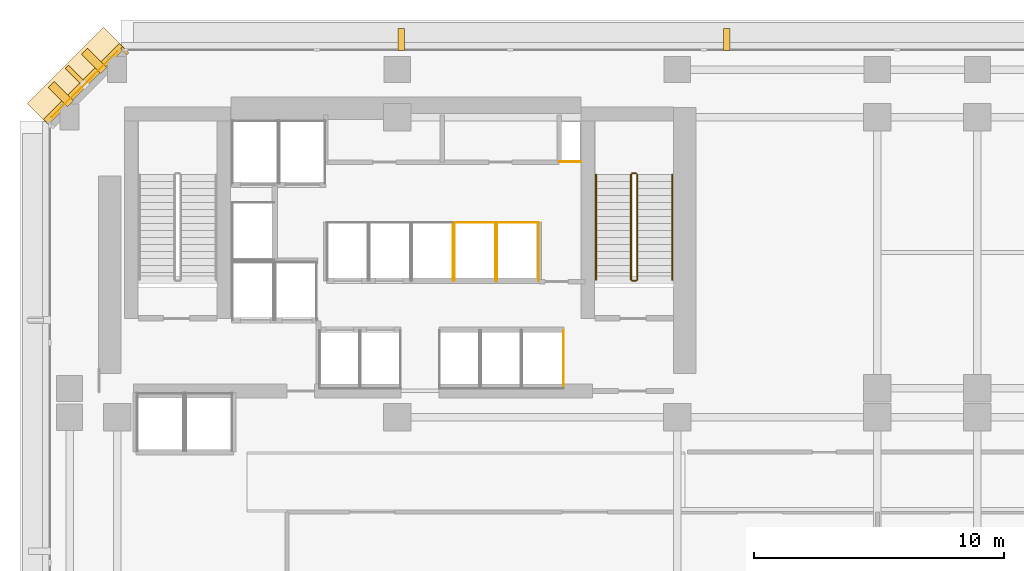
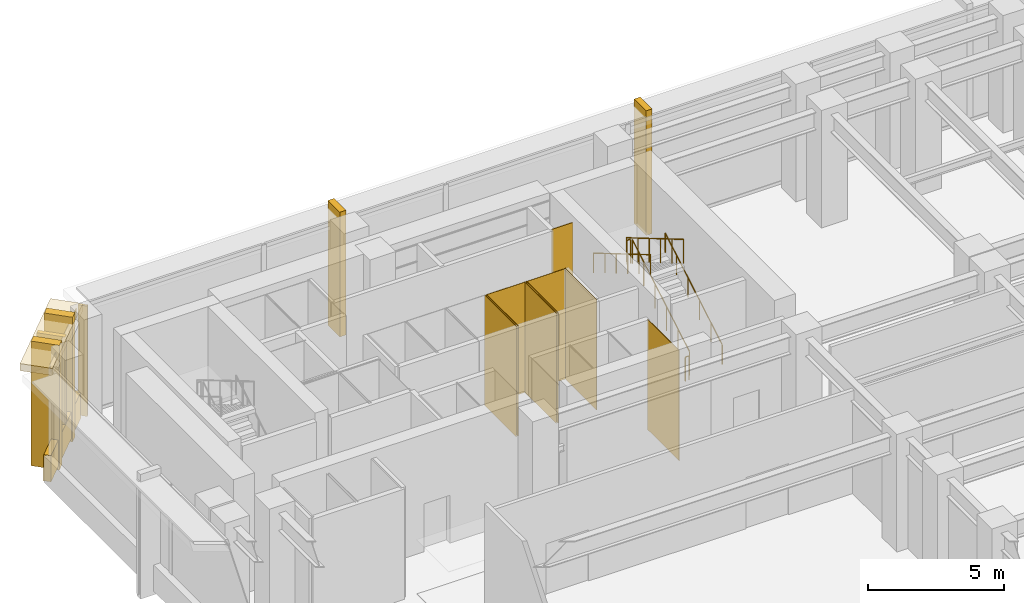
# One storey, part 14 of 16: 17 coverings, 6 railings, 1 shading device.
"""IFC4 building model written with IfcOpenShell, lengths in metres."""

from ifc_helpers import new_model, si_unit, direction, frame, origin, origin_2d, place, context, subcontext, project, spatial, polyline, rectangle, circle, outline, extrude, material, layer, layer_set, material_profile, profile_set, type_object, element, save


model = new_model("IFC4")

# Units and contexts
model_context = context("Model", 3, precision=1e-05, world=origin(), true_north=direction((0.0, 1.0)))
body_context = subcontext(model_context, "Body", "Model", "MODEL_VIEW")
ifc_project = project(units=[si_unit("LENGTHUNIT", "METRE"), si_unit("AREAUNIT", "SQUARE_METRE"), si_unit("VOLUMEUNIT", "CUBIC_METRE"), si_unit("PLANEANGLEUNIT", "RADIAN"), si_unit("MASSUNIT", "GRAM", prefix="KILO")], contexts=[model_context])

# Site, building, storey
site_placement = place(None, origin())
site = spatial("IfcSite", under=ifc_project, at=site_placement, CompositionType="ELEMENT")
building_placement = place(site_placement, origin())
building = spatial("IfcBuilding", under=site, at=building_placement, Name="Kefirva Bronze Tower", CompositionType="ELEMENT")
storey_placement = place(building_placement, frame((0.0, 0.0, 11.219970703125)))
storey = spatial("IfcBuildingStorey", under=building, at=storey_placement, Name="L02", CompositionType="ELEMENT", Elevation=11.219970703125)

# Coverings
ifc_material_1 = material(Name="Bronze anodised aluminium", Category="aluminium")
ifc_layer_1 = layer(ifc_material_1, 0.02001953125, Name="Bronze anodised aluminium")
ifc_layer_set_1 = layer_set([ifc_layer_1], Name="Bronze anodised aluminium")
covering_type_1 = type_object("IfcCoveringType", Name="Anodised Bronze Spandrel Cladding 20mm", PredefinedType="CLADDING", material=ifc_layer_set_1)
covering_1_placement = place(storey_placement, frame((-0.507080078125, 46.507080078125, 4.5400390625), z_axis=(0.0, 0.0, 1.0), x_axis=(-0.707106781187, -0.707106781187, 0.0)))
element("IfcCovering", 1, at=covering_1_placement, inside=storey, type_object=covering_type_1, Name="L02 Bronze Spandrel Cladding 7", PredefinedType="CLADDING", context=body_context, shape_type="SweptSolid", body=[
    extrude(rectangle(XDim=3.719482421875, YDim=0.02001953125, at=origin_2d()), origin(), (0.0, 0.0, 1.0), 0.39990234375),
])
covering_2_placement = place(storey_placement, frame((1.1025390625, 47.847900390625, 0.0), z_axis=(0.0, 0.0, 1.0), x_axis=(-0.707106781187, -0.707106781187, 0.0)))
element("IfcCovering", 2, at=covering_2_placement, inside=storey, type_object=covering_type_1, Name="L02 Facade Joint Closure Panel 7S", PredefinedType="CLADDING", context=body_context, shape_type="SweptSolid", body=[
    extrude(rectangle(XDim=0.10009765625, YDim=0.360107421875, at=origin_2d()), origin(), (0.0, 0.0, 1.0), 4.9599609375),
])
covering_3_placement = place(storey_placement, frame((-0.5283203125, 46.5283203125, -0.16015625), z_axis=(0.0, 0.0, 1.0), x_axis=(-0.707106781187, -0.707106781187, 0.0)))
element("IfcCovering", 3, at=covering_3_placement, inside=storey, type_object=covering_type_1, Name="L02 Streamline Horizontal Spandrel Band 9", PredefinedType="CLADDING", context=body_context, shape_type="SweptSolid", body=[
    extrude(rectangle(XDim=4.28271484375, YDim=0.280029296875, at=origin_2d()), origin(), (0.0, 0.0, 1.0), 1.179931640625),
])
covering_4_placement = place(storey_placement, origin())
element("IfcCovering", 4, at=covering_4_placement, inside=storey, type_object=covering_type_1, Name="L02 Lift MP3 Hoistway Liner E", PredefinedType="CLADDING", context=body_context, shape_type="SweptSolid", body=[
    extrude(outline(polyline([(14.219970703125, 38.659912109375), (14.239990234375, 38.659912109375), (14.239990234375, 41.0), (14.219970703125, 41.0), (14.219970703125, 38.659912109375)])), origin(), (0.0, 0.0, 1.0), 4.9599609375),
])
covering_5_placement = place(storey_placement, origin())
element("IfcCovering", 5, at=covering_5_placement, inside=storey, type_object=covering_type_1, Name="L02 Lift MP4 Hoistway Liner N", PredefinedType="CLADDING", context=body_context, shape_type="SweptSolid", body=[
    extrude(outline(polyline([(14.280029296875, 40.969970703125), (15.949951171875, 40.969970703125), (15.949951171875, 40.989990234375), (14.280029296875, 40.989990234375), (14.280029296875, 40.969970703125)])), origin(), (0.0, 0.0, 1.0), 4.9599609375),
])
covering_6_placement = place(storey_placement, origin())
element("IfcCovering", 6, at=covering_6_placement, inside=storey, type_object=covering_type_1, Name="L02 Lift MP4 Hoistway Liner W", PredefinedType="CLADDING", context=body_context, shape_type="SweptSolid", body=[
    extrude(outline(polyline([(14.2900390625, 38.659912109375), (14.31005859375, 38.659912109375), (14.31005859375, 41.0), (14.2900390625, 41.0), (14.2900390625, 38.659912109375)])), origin(), (0.0, 0.0, 1.0), 4.9599609375),
])
covering_7_placement = place(storey_placement, origin())
element("IfcCovering", 7, at=covering_7_placement, inside=storey, type_object=covering_type_1, Name="L02 Lift MP4 Hoistway Liner E", PredefinedType="CLADDING", context=body_context, shape_type="SweptSolid", body=[
    extrude(outline(polyline([(15.919921875, 38.659912109375), (15.93994140625, 38.659912109375), (15.93994140625, 41.0), (15.919921875, 41.0), (15.919921875, 38.659912109375)])), origin(), (0.0, 0.0, 1.0), 4.9599609375),
])
covering_8_placement = place(storey_placement, origin())
element("IfcCovering", 8, at=covering_8_placement, inside=storey, type_object=covering_type_1, Name="L02 Lift HP1 Hoistway Liner E", PredefinedType="CLADDING", context=body_context, shape_type="SweptSolid", body=[
    extrude(outline(polyline([(18.639892578125, 34.330078125), (18.659912109375, 34.330078125), (18.659912109375, 36.669921875), (18.639892578125, 36.669921875), (18.639892578125, 34.330078125)])), origin(), (0.0, 0.0, 1.0), 4.9599609375),
])
covering_9_placement = place(storey_placement, origin())
element("IfcCovering", 9, at=covering_9_placement, inside=storey, type_object=covering_type_1, Name="L02 Lift HP2 Hoistway Liner N", PredefinedType="CLADDING", context=body_context, shape_type="SweptSolid", body=[
    extrude(outline(polyline([(15.97998046875, 40.969970703125), (17.669921875, 40.969970703125), (17.669921875, 40.989990234375), (15.97998046875, 40.989990234375), (15.97998046875, 40.969970703125)])), origin(), (0.0, 0.0, 1.0), 4.9599609375),
])
covering_10_placement = place(storey_placement, origin())
element("IfcCovering", 10, at=covering_10_placement, inside=storey, type_object=covering_type_1, Name="L02 Lift HP2 Hoistway Liner W", PredefinedType="CLADDING", context=body_context, shape_type="SweptSolid", body=[
    extrude(outline(polyline([(15.989990234375, 38.659912109375), (16.010009765625, 38.659912109375), (16.010009765625, 41.0), (15.989990234375, 41.0), (15.989990234375, 38.659912109375)])), origin(), (0.0, 0.0, 1.0), 4.9599609375),
])
covering_11_placement = place(storey_placement, origin())
element("IfcCovering", 11, at=covering_11_placement, inside=storey, type_object=covering_type_1, Name="L02 Lift HP2 Hoistway Liner E", PredefinedType="CLADDING", context=body_context, shape_type="SweptSolid", body=[
    extrude(outline(polyline([(17.639892578125, 38.659912109375), (17.659912109375, 38.659912109375), (17.659912109375, 41.0), (17.639892578125, 41.0), (17.639892578125, 38.659912109375)])), origin(), (0.0, 0.0, 1.0), 4.9599609375),
])
covering_12_placement = place(storey_placement, origin())
element("IfcCovering", 12, at=covering_12_placement, inside=storey, type_object=covering_type_1, Name="L02 Core MEP Riser Shaft Liner South", PredefinedType="CLADDING", context=body_context, shape_type="SweptSolid", body=[
    extrude(outline(polyline([(18.47998046875, 43.39990234375), (19.360107421875, 43.39990234375), (19.360107421875, 43.429931640625), (18.47998046875, 43.429931640625), (18.47998046875, 43.39990234375)])), origin(), (0.0, 0.0, 1.0), 4.9599609375),
])

# Shading device
ifc_material_profile = material_profile(ifc_material_1, rectangle(XDim=0.179931640625, YDim=1.080078125, at=origin_2d()), Name="BRONZE BUTTRESS FIN 180x1080")
ifc_profile_set = profile_set([ifc_material_profile], Name="Bronze anodised aluminium")
shading_device_type = type_object("IfcShadingDeviceType", Name="Chamfered Corner Buttress Bronze Fin 1080mm", PredefinedType="USERDEFINED", material=ifc_profile_set)
shading_device_placement = place(storey_placement, frame((-0.8251953125, 46.8251953125, -0.139892578125), z_axis=(0.0, 0.0, 1.0), x_axis=(-0.707106781187, -0.707106781187, 0.0)))
element("IfcShadingDevice", 13, at=shading_device_placement, inside=storey, type_object=shading_device_type, Name="L02 Chamfered Corner Buttress Fin 24", ObjectType="VERTICAL FIN", PredefinedType="USERDEFINED", context=body_context, shape_type="SweptSolid", body=[
    extrude(rectangle(XDim=0.179931640625, YDim=1.080078125, at=origin_2d()), origin(), (0.0, 0.0, 1.0), 5.099853515625),
])

# Railings
ifc_material_2 = material(Name="Stainless steel 316", Category="steel")
railing_type_1 = type_object("IfcRailingType", Name="Interior Stair Guardrail 1100mm", PredefinedType="GUARDRAIL", material=ifc_material_2)
railing_1_placement = place(storey_placement, frame((21.60009765625, 38.699951171875, 0.1650390625)))
element("IfcRailing", 14, at=railing_1_placement, inside=storey, type_object=railing_type_1, Name="L02 ST-2 stair guard 1", PredefinedType="GUARDRAIL", context=body_context, shape_type="SweptSolid", body=[
    extrude(circle(Radius=0.02392578125, at=origin_2d()), frame((0.0, 0.0, 1.076171875), z_axis=(0.0, 0.861527117747, 0.50771155727), x_axis=(-1.0, 0.0, 0.0)), (0.0, 0.0, 1.0), 4.875),
    extrude(circle(Radius=0.02099609375, at=origin_2d()), origin(), (0.0, 0.0, 1.0), 1.052001953125),
    extrude(circle(Radius=0.02099609375, at=origin_2d()), frame((0.0, 0.840087890625, 0.4951171875)), (0.0, 0.0, 1.0), 1.052001953125),
    extrude(circle(Radius=0.02099609375, at=origin_2d()), frame((0.0, 1.679931640625, 0.989990234375)), (0.0, 0.0, 1.0), 1.052001953125),
    extrude(circle(Radius=0.02099609375, at=origin_2d()), frame((0.0, 2.52001953125, 1.485107421875)), (0.0, 0.0, 1.0), 1.052001953125),
    extrude(circle(Radius=0.02099609375, at=origin_2d()), frame((0.0, 3.35986328125, 1.97998046875)), (0.0, 0.0, 1.0), 1.052001953125),
    extrude(circle(Radius=0.02099609375, at=origin_2d()), frame((0.0, 4.199951171875, 2.47509765625)), (0.0, 0.0, 1.0), 1.052001953125),
])
railing_2_placement = place(storey_placement, frame((21.550048828125, 42.949951171875, 2.64013671875)))
element("IfcRailing", 15, at=railing_2_placement, inside=storey, type_object=railing_type_1, Name="L02 ST-2 stair guard 2", PredefinedType="GUARDRAIL", context=body_context, shape_type="SweptSolid", body=[
    extrude(circle(Radius=0.02392578125, at=origin_2d()), frame((0.0, 0.0, 1.076171875), z_axis=(-1.0, 0.0, 0.0), x_axis=(0.0, -1.0, 0.0)), (0.0, 0.0, 1.0), 0.150146484375),
    extrude(circle(Radius=0.02099609375, at=origin_2d()), origin(), (0.0, 0.0, 1.0), 1.052001953125),
    extrude(circle(Radius=0.02099609375, at=origin_2d()), frame((-0.150146484375, 0.0, 0.0)), (0.0, 0.0, 1.0), 1.052001953125),
])
railing_3_placement = place(storey_placement, frame((21.35009765625, 42.89990234375, 2.804931640625)))
element("IfcRailing", 16, at=railing_3_placement, inside=storey, type_object=railing_type_1, Name="L02 ST-2 stair guard 3", PredefinedType="GUARDRAIL", context=body_context, shape_type="SweptSolid", body=[
    extrude(circle(Radius=0.02392578125, at=origin_2d()), frame((0.0, 0.0, 1.076171875), z_axis=(0.0, -0.861527117747, 0.50771155727), x_axis=(1.0, 0.0, 0.0)), (0.0, 0.0, 1.0), 4.875),
    extrude(circle(Radius=0.02099609375, at=origin_2d()), origin(), (0.0, 0.0, 1.0), 1.052001953125),
    extrude(circle(Radius=0.02099609375, at=origin_2d()), frame((0.0, -0.840087890625, 0.4951171875)), (0.0, 0.0, 1.0), 1.052001953125),
    extrude(circle(Radius=0.02099609375, at=origin_2d()), frame((0.0, -1.679931640625, 0.989990234375)), (0.0, 0.0, 1.0), 1.052001953125),
    extrude(circle(Radius=0.02099609375, at=origin_2d()), frame((0.0, -2.52001953125, 1.485107421875)), (0.0, 0.0, 1.0), 1.052001953125),
    extrude(circle(Radius=0.02099609375, at=origin_2d()), frame((0.0, -3.35986328125, 1.97998046875)), (0.0, 0.0, 1.0), 1.052001953125),
    extrude(circle(Radius=0.02099609375, at=origin_2d()), frame((0.0, -4.199951171875, 2.47509765625)), (0.0, 0.0, 1.0), 1.052001953125),
])
railing_4_placement = place(storey_placement, frame((21.550048828125, 38.64990234375, 0.0)))
element("IfcRailing", 17, at=railing_4_placement, inside=storey, type_object=railing_type_1, Name="L02 ST-2 stair guard 4", PredefinedType="GUARDRAIL", context=body_context, shape_type="SweptSolid", body=[
    extrude(circle(Radius=0.02392578125, at=origin_2d()), frame((0.0, 0.0, 1.076171875), z_axis=(-1.0, 0.0, 0.0), x_axis=(0.0, -1.0, 0.0)), (0.0, 0.0, 1.0), 0.150146484375),
    extrude(circle(Radius=0.02099609375, at=origin_2d()), origin(), (0.0, 0.0, 1.0), 1.052001953125),
    extrude(circle(Radius=0.02099609375, at=origin_2d()), frame((-0.150146484375, 0.0, 0.0)), (0.0, 0.0, 1.0), 1.052001953125),
])
railing_type_2 = type_object("IfcRailingType", Name="Stair Pitch Handrail 900mm", PredefinedType="HANDRAIL", material=ifc_material_2)
railing_5_placement = place(storey_placement, frame((23.0, 38.699951171875, 0.1650390625)))
element("IfcRailing", 18, at=railing_5_placement, inside=storey, type_object=railing_type_2, Name="L02 ST-2 stair handrail 1", PredefinedType="HANDRAIL", context=body_context, shape_type="SweptSolid", body=[
    extrude(circle(Radius=0.02392578125, at=origin_2d()), frame((0.0, 0.0, 0.8759765625), z_axis=(0.0, 0.861527117747, 0.50771155727), x_axis=(-1.0, 0.0, 0.0)), (0.0, 0.0, 1.0), 4.875),
    extrude(circle(Radius=0.02099609375, at=origin_2d()), origin(), (0.0, 0.0, 1.0), 0.851806640625),
    extrude(circle(Radius=0.02099609375, at=origin_2d()), frame((0.0, 0.840087890625, 0.4951171875)), (0.0, 0.0, 1.0), 0.851806640625),
    extrude(circle(Radius=0.02099609375, at=origin_2d()), frame((0.0, 1.679931640625, 0.989990234375)), (0.0, 0.0, 1.0), 0.851806640625),
    extrude(circle(Radius=0.02099609375, at=origin_2d()), frame((0.0, 2.52001953125, 1.485107421875)), (0.0, 0.0, 1.0), 0.851806640625),
    extrude(circle(Radius=0.02099609375, at=origin_2d()), frame((0.0, 3.35986328125, 1.97998046875)), (0.0, 0.0, 1.0), 0.851806640625),
    extrude(circle(Radius=0.02099609375, at=origin_2d()), frame((0.0, 4.199951171875, 2.47509765625)), (0.0, 0.0, 1.0), 0.851806640625),
])
railing_6_placement = place(storey_placement, frame((19.949951171875, 42.89990234375, 2.804931640625)))
element("IfcRailing", 19, at=railing_6_placement, inside=storey, type_object=railing_type_2, Name="L02 ST-2 stair handrail 2", PredefinedType="HANDRAIL", context=body_context, shape_type="SweptSolid", body=[
    extrude(circle(Radius=0.02392578125, at=origin_2d()), frame((0.0, 0.0, 0.8759765625), z_axis=(0.0, -0.861527117747, 0.50771155727), x_axis=(1.0, 0.0, 0.0)), (0.0, 0.0, 1.0), 4.875),
    extrude(circle(Radius=0.02099609375, at=origin_2d()), origin(), (0.0, 0.0, 1.0), 0.851806640625),
    extrude(circle(Radius=0.02099609375, at=origin_2d()), frame((0.0, -0.840087890625, 0.4951171875)), (0.0, 0.0, 1.0), 0.851806640625),
    extrude(circle(Radius=0.02099609375, at=origin_2d()), frame((0.0, -1.679931640625, 0.989990234375)), (0.0, 0.0, 1.0), 0.851806640625),
    extrude(circle(Radius=0.02099609375, at=origin_2d()), frame((0.0, -2.52001953125, 1.485107421875)), (0.0, 0.0, 1.0), 0.851806640625),
    extrude(circle(Radius=0.02099609375, at=origin_2d()), frame((0.0, -3.35986328125, 1.97998046875)), (0.0, 0.0, 1.0), 0.851806640625),
    extrude(circle(Radius=0.02099609375, at=origin_2d()), frame((0.0, -4.199951171875, 2.47509765625)), (0.0, 0.0, 1.0), 0.851806640625),
])

# Coverings
ifc_layer_2 = layer(ifc_material_1, 0.179931640625, Name="Bronze anodised aluminium")
ifc_layer_set_2 = layer_set([ifc_layer_2], Name="Bronze anodised aluminium")
covering_type_2 = type_object("IfcCoveringType", Name="Streamline Bronze Sunshade Eyebrow Cladding 180mm", PredefinedType="CLADDING", material=ifc_layer_set_2)
covering_13_placement = place(storey_placement, frame((-0.8251953125, 46.8251953125, 4.64013671875), z_axis=(0.0, 0.0, 1.0), x_axis=(-0.707106781187, -0.707106781187, 0.0)))
element("IfcCovering", 20, at=covering_13_placement, inside=storey, type_object=covering_type_2, Name="L02 Streamline Bronze Sunshade Eyebrow 9", PredefinedType="CLADDING", context=body_context, shape_type="SweptSolid", body=[
    extrude(rectangle(XDim=4.322509765625, YDim=1.239990234375, at=origin_2d()), origin(), (0.0, 0.0, 1.0), 0.320068359375),
])
ifc_layer_3 = layer(ifc_material_1, 0.260009765625, Name="Bronze anodised aluminium")
ifc_layer_set_3 = layer_set([ifc_layer_3], Name="Bronze anodised aluminium")
covering_type_3 = type_object("IfcCoveringType", Name="Unbroken Bronze Buttress Fin Cladding 260mm", PredefinedType="CLADDING", material=ifc_layer_set_3)
for number, where, z_axis, x_axis, name in (
    (21, (25.179931640625, 48.300048828125, -0.320068359375), (0.0, 0.0, 1.0), (-1.0, 0.0, 0.0), "L02 Unbroken Vertical Bronze Rib Fin 21"),
    (22, (12.159912109375, 48.300048828125, -0.320068359375), (0.0, 0.0, 1.0), (-1.0, 0.0, 0.0), "L02 Unbroken Vertical Bronze Rib Fin 22"),
):
    element("IfcCovering", number, at=place(storey_placement, frame(where, z_axis=z_axis, x_axis=x_axis)), inside=storey, type_object=covering_type_3, Name=name, PredefinedType="CLADDING", context=body_context, shape_type="SweptSolid", body=[
        extrude(rectangle(XDim=0.260009765625, YDim=0.8798828125, at=origin_2d()), origin(), (0.0, 0.0, 1.0), 5.60009765625),
    ])
for number, where, z_axis, x_axis, name in (
    (23, (-0.122802734375, 47.44287109375, -0.320068359375), (0.0, 0.0, 1.0), (-0.707106781187, -0.707106781187, 0.0), "L02 Chamfered Corner Buttress Fin Cladding 23"),
    (24, (-1.44287109375, 46.122802734375, -0.320068359375), (0.0, 0.0, 1.0), (-0.707106781187, -0.707106781187, 0.0), "L02 Chamfered Corner Buttress Fin Cladding 24"),
):
    element("IfcCovering", number, at=place(storey_placement, frame(where, z_axis=z_axis, x_axis=x_axis)), inside=storey, type_object=covering_type_3, Name=name, PredefinedType="CLADDING", context=body_context, shape_type="SweptSolid", body=[
        extrude(rectangle(XDim=0.340087890625, YDim=1.080078125, at=origin_2d()), origin(), (0.0, 0.0, 1.0), 5.60009765625),
    ])

save(model, "model.ifc")
